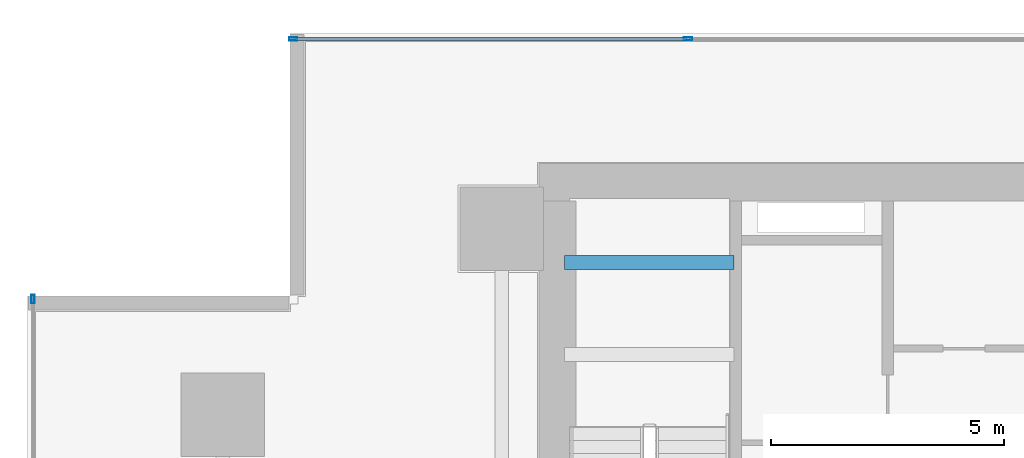
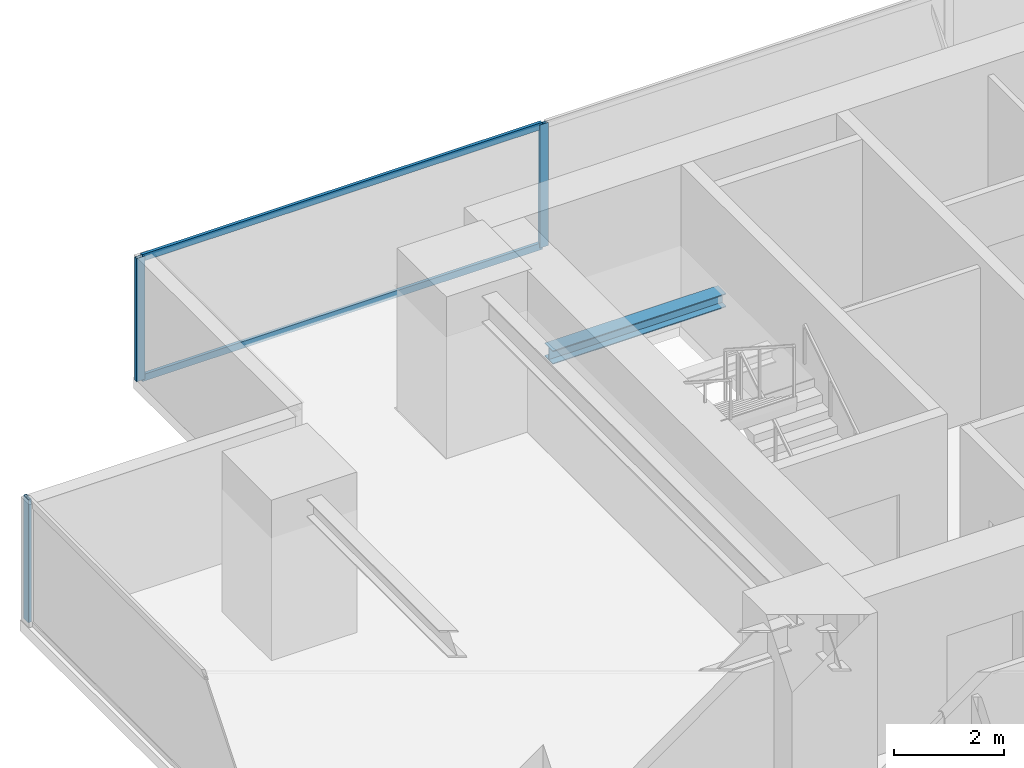
# One storey, part 18 of 33: 5 members, 1 beam, 2 elements without a shape of their own.
"""IFC4 building model written with IfcOpenShell, lengths in metres."""

from ifc_helpers import new_model, si_unit, direction, frame, origin, origin_2d, place, context, subcontext, project, spatial, hollow_rectangle, i_section, extrude, source, transform, mapped, material, layer, layer_set, material_profile, profile_set, type_object, element, aggregate, save


model = new_model("IFC4")

# Units and contexts
model_context = context("Model", 3, precision=1e-05, world=origin(), true_north=direction((0.0, 1.0)))
body_context = subcontext(model_context, "Body", "Model", "MODEL_VIEW")
ifc_project = project(units=[si_unit("LENGTHUNIT", "METRE"), si_unit("AREAUNIT", "SQUARE_METRE"), si_unit("VOLUMEUNIT", "CUBIC_METRE"), si_unit("PLANEANGLEUNIT", "RADIAN"), si_unit("MASSUNIT", "GRAM", prefix="KILO")], contexts=[model_context])

# Site, building, storey
site_placement = place(None, origin())
site = spatial("IfcSite", under=ifc_project, at=site_placement, CompositionType="ELEMENT")
building_placement = place(site_placement, origin())
building = spatial("IfcBuilding", under=site, at=building_placement, Name="Sumidabori Civic Tower", CompositionType="ELEMENT")
storey_placement = place(building_placement, frame((0.0, 0.0, 38.0)))
storey = spatial("IfcBuildingStorey", under=building, at=storey_placement, Name="L09", CompositionType="ELEMENT", Elevation=38.0)

# Beam
ifc_material_1 = material(Name="Steel SN490", Category="steel")
ifc_material_profile_1 = material_profile(ifc_material_1, i_section(OverallWidth=0.300048828125, OverallDepth=0.300048828125, WebThickness=0.010986328125, FlangeThickness=0.01904296875, at=origin_2d()), Name="HE 300 B")
ifc_profile_set_1 = profile_set([ifc_material_profile_1], Name="Steel SN490")
beam_type = type_object("IfcBeamType", Name="BM-LDG-300", PredefinedType="BEAM", material=ifc_profile_set_1)
shared_shape_1 = source(origin(), body_context, "Body", "SweptSolid", [
    extrude(i_section(OverallWidth=0.300048828125, OverallDepth=0.300048828125, WebThickness=0.010986328125, FlangeThickness=0.01904296875, at=origin_2d()), origin(), (0.0, 0.0, 1.0), 3.64990234375),
])
beam_placement = place(storey_placement, frame((-15.449951171875, 22.069580078125, 1.449951171875), z_axis=(1.0, 0.0, 0.0), x_axis=(0.0, 1.0, 0.0)))
element("IfcBeam", 1, at=beam_placement, inside=storey, type_object=beam_type, Name="Stair ST-1 Landing Trimmer Beam L09-1B", PredefinedType="BEAM", context=body_context, shape_type="MappedRepresentation", body=[
    mapped(shared_shape_1, transform((0.0, 0.0, 0.0), x_axis=(1.0, 0.0, 0.0), y_axis=(0.0, 1.0, 0.0), z_axis=(0.0, 0.0, 1.0), scale=1.0)),
])

# Curtain wall, members
ifc_material_2 = material(Name="Anodised Bronze Aluminium AW-6063-T6", Category="aluminium")
ifc_layer = layer(ifc_material_2, 0.179931640625, Name="Anodised Bronze Aluminium AW-6063-T6")
ifc_layer_set = layer_set([ifc_layer], Name="Anodised Bronze Aluminium AW-6063-T6")
curtain_wall_type = type_object("IfcCurtainWallType", Name="CW-SYS-2", PredefinedType="NOTDEFINED", material=ifc_layer_set)
curtain_wall_1_placement = place(storey_placement, origin())
curtain_wall_1 = element("IfcCurtainWall", 2, at=curtain_wall_1_placement, inside=storey, type_object=curtain_wall_type, Name="Curtain Wall CW:L09:R07", PredefinedType="NOTDEFINED")
ifc_material_profile_2 = material_profile(ifc_material_2, hollow_rectangle(XDim=0.070068359375, YDim=0.179931640625, WallThickness=0.006103515625, at=origin_2d()), Name="ALU MULLION 180x70")
ifc_profile_set_2 = profile_set([ifc_material_profile_2], Name="Anodised Bronze Aluminium AW-6063-T6")
member_type_1 = type_object("IfcMemberType", Name="CW-MUL-180", PredefinedType="MULLION", material=ifc_profile_set_2)
shared_shape_2 = source(origin(), body_context, "Body", "SweptSolid", [
    extrude(hollow_rectangle(XDim=0.070068359375, YDim=0.179931640625, WallThickness=0.006103515625, at=origin_2d()), origin(), (0.0, 0.0, 1.0), 2.739990234375),
])
member_1_placement = place(storey_placement, frame((-12.7919921875, 26.8798828125, 0.0), z_axis=(0.0, 0.0, 1.0), x_axis=(0.0, -1.0, 0.0)))
member_1 = element("IfcMember", 3, at=member_1_placement, type_object=member_type_1, Name="CW-2 mullion 5", PredefinedType="MULLION", context=body_context, shape_type="MappedRepresentation", body=[
    mapped(shared_shape_2, transform((0.0, 0.0, 0.0), x_axis=(1.0, 0.0, 0.0), y_axis=(0.0, 1.0, 0.0), z_axis=(0.0, 0.0, 1.0), scale=1.0)),
])
member_2_placement = place(storey_placement, frame((-21.284912109375, 26.8798828125, 0.0), z_axis=(0.0, 0.0, 1.0), x_axis=(0.0, -1.0, 0.0)))
member_2 = element("IfcMember", 4, at=member_2_placement, type_object=member_type_1, Name="CW-2 mullion 6", PredefinedType="MULLION", context=body_context, shape_type="MappedRepresentation", body=[
    mapped(shared_shape_2, transform((0.0, 0.0, 0.0), x_axis=(1.0, 0.0, 0.0), y_axis=(0.0, 1.0, 0.0), z_axis=(0.0, 0.0, 1.0), scale=1.0)),
])

# Curtain wall, member
curtain_wall_2_placement = place(storey_placement, origin())
curtain_wall_2 = element("IfcCurtainWall", 5, at=curtain_wall_2_placement, inside=storey, type_object=curtain_wall_type, Name="Curtain Wall CW:L09:R10", PredefinedType="NOTDEFINED")
member_3_placement = place(storey_placement, frame((-26.8798828125, 21.284912109375, 0.0), z_axis=(0.0, 0.0, 1.0), x_axis=(1.0, 0.0, 0.0)))
member_3 = element("IfcMember", 6, at=member_3_placement, type_object=member_type_1, Name="CW-2 mullion 1", PredefinedType="MULLION", context=body_context, shape_type="MappedRepresentation", body=[
    mapped(shared_shape_2, transform((0.0, 0.0, 0.0), x_axis=(1.0, 0.0, 0.0), y_axis=(0.0, 1.0, 0.0), z_axis=(0.0, 0.0, 1.0), scale=1.0)),
])
aggregate(curtain_wall_2, [member_3])

# Member
ifc_material_profile_3 = material_profile(ifc_material_2, hollow_rectangle(XDim=0.06494140625, YDim=0.14990234375, WallThickness=0.0048828125, at=origin_2d()), Name="ALU TRANSOM 150x65")
ifc_profile_set_3 = profile_set([ifc_material_profile_3], Name="Anodised Bronze Aluminium AW-6063-T6")
member_type_2 = type_object("IfcMemberType", Name="CW-TRN-150", PredefinedType="USERDEFINED", material=ifc_profile_set_3)
shared_shape_3 = source(origin(), body_context, "Body", "SweptSolid", [
    extrude(hollow_rectangle(XDim=0.06494140625, YDim=0.14990234375, WallThickness=0.0048828125, at=origin_2d()), origin(), (0.0, 0.0, 1.0), 8.423095703125),
])
member_4_placement = place(storey_placement, frame((-12.826904296875, 26.8798828125, 0.032470703125), z_axis=(-1.0, 0.0, 0.0), x_axis=(0.0, -1.0, 0.0)))
member_4 = element("IfcMember", 7, at=member_4_placement, type_object=member_type_2, Name="CW-2 transom 5.1", ObjectType="TRANSOM", PredefinedType="USERDEFINED", context=body_context, shape_type="MappedRepresentation", body=[
    mapped(shared_shape_3, transform((0.0, 0.0, 0.0), x_axis=(1.0, 0.0, 0.0), y_axis=(0.0, 1.0, 0.0), z_axis=(0.0, 0.0, 1.0), scale=1.0)),
])

member_5_placement = place(storey_placement, frame((-12.826904296875, 26.8798828125, 2.70751953125), z_axis=(-1.0, 0.0, 0.0), x_axis=(0.0, -1.0, 0.0)))
member_5 = element("IfcMember", 8, at=member_5_placement, type_object=member_type_2, Name="CW-2 transom 5.2", ObjectType="TRANSOM", PredefinedType="USERDEFINED", context=body_context, shape_type="MappedRepresentation", body=[
    mapped(shared_shape_3, transform((0.0, 0.0, 0.0), x_axis=(1.0, 0.0, 0.0), y_axis=(0.0, 1.0, 0.0), z_axis=(0.0, 0.0, 1.0), scale=1.0)),
])

aggregate(curtain_wall_1, [member_1, member_2, member_4, member_5])

save(model, "model.ifc")
